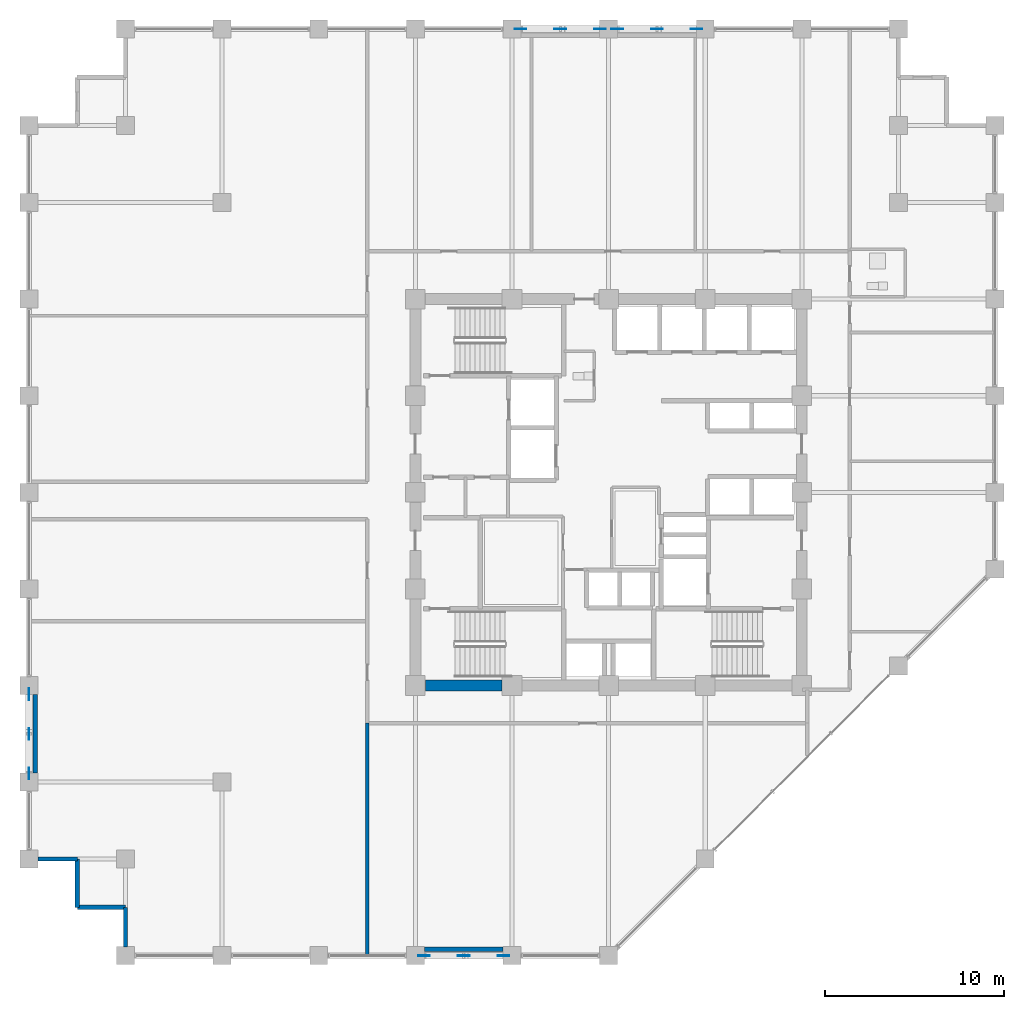
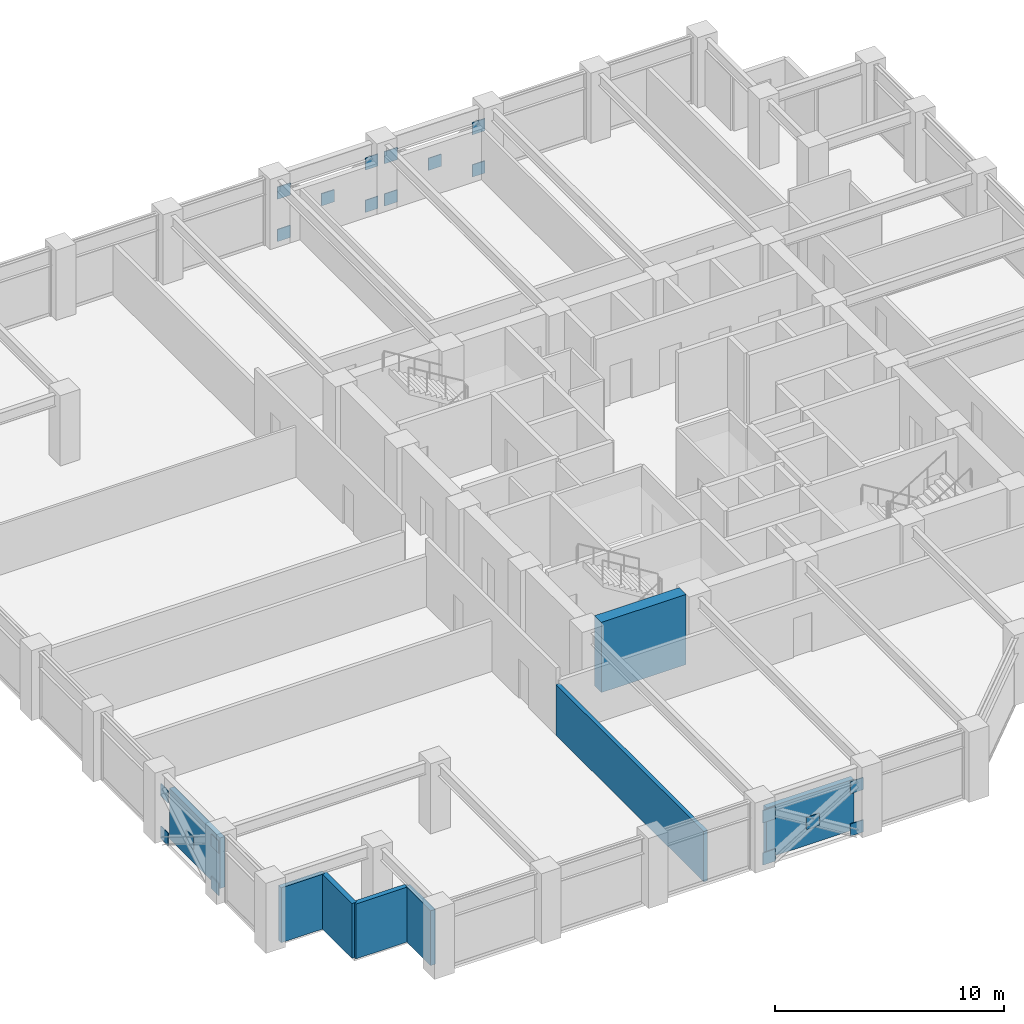
# One storey, part 18 of 23: 20 plates, 8 walls.
"""IFC4 building model written with IfcOpenShell, lengths in metres."""

from ifc_helpers import new_model, si_unit, direction, frame, frame_2d, origin, origin_2d, place, context, subcontext, project, spatial, rectangle, extrude, material, layer, layer_set, type_object, element, save


model = new_model("IFC4")

# Units and contexts
model_context = context("Model", 3, precision=1e-05, world=origin(), true_north=direction((0.0, 1.0)))
body_context = subcontext(model_context, "Body", "Model", "MODEL_VIEW")
ifc_project = project(units=[si_unit("LENGTHUNIT", "METRE"), si_unit("AREAUNIT", "SQUARE_METRE"), si_unit("VOLUMEUNIT", "CUBIC_METRE"), si_unit("PLANEANGLEUNIT", "RADIAN"), si_unit("MASSUNIT", "GRAM", prefix="KILO")], contexts=[model_context])

# Site, building, storey
site_placement = place(None, origin())
site = spatial("IfcSite", under=ifc_project, at=site_placement, CompositionType="ELEMENT")
building_placement = place(site_placement, origin())
building = spatial("IfcBuilding", under=site, at=building_placement, Name="Surkhivell Harbour Commons", CompositionType="ELEMENT")
storey_placement = place(building_placement, frame((0.0, 0.0, 135.75)))
storey = spatial("IfcBuildingStorey", under=building, at=storey_placement, Name="L35", CompositionType="ELEMENT", Elevation=135.75)

# Plates
ifc_material_1 = material(Name="Steel S460", Category="steel")
ifc_layer_1 = layer(ifc_material_1, 0.044921875)
ifc_layer_set_1 = layer_set([ifc_layer_1], Name="Steel S460")
plate_type = type_object("IfcPlateType", Name="PLT-GUS-650", PredefinedType="USERDEFINED", material=ifc_layer_set_1)
for number, where, z_axis, x_axis, name in (
    (1, (-4.9150390625, 25.89990234375, -0.08935546875), (0.0, 0.0, 1.0), (1.0, 0.0, 0.0), "L35 Perimeter Mega-Brace MB- Corner Gusset N-1"),
    (2, (-0.485107421875, 25.89990234375, -0.08935546875), (0.0, 0.0, 1.0), (1.0, 0.0, 0.0), "L35 Perimeter Mega-Brace MB- Corner Gusset N-2"),
    (3, (-4.9150390625, 25.89990234375, 2.170654296875), (0.0, 0.0, 1.0), (1.0, 0.0, 0.0), "L35 Perimeter Mega-Brace MB- Corner Gusset N-3"),
    (4, (-0.485107421875, 25.89990234375, 2.170654296875), (0.0, 0.0, 1.0), (1.0, 0.0, 0.0), "L35 Perimeter Mega-Brace MB- Corner Gusset N-4"),
    (5, (-2.699951171875, 25.89990234375, 1.04052734375), (0.0, 0.0, 1.0), (1.0, 0.0, 0.0), "L35 Perimeter Mega-Brace MB- Central Crossing Gusset N"),
    (6, (0.485107421875, 25.89990234375, -0.08935546875), (0.0, 0.0, 1.0), (1.0, 0.0, 0.0), "L35 Perimeter Mega-Brace MB- Corner Gusset N2-1"),
    (7, (4.9150390625, 25.89990234375, -0.08935546875), (0.0, 0.0, 1.0), (1.0, 0.0, 0.0), "L35 Perimeter Mega-Brace MB- Corner Gusset N2-2"),
    (8, (0.485107421875, 25.89990234375, 2.170654296875), (0.0, 0.0, 1.0), (1.0, 0.0, 0.0), "L35 Perimeter Mega-Brace MB- Corner Gusset N2-3"),
    (9, (4.9150390625, 25.89990234375, 2.170654296875), (0.0, 0.0, 1.0), (1.0, 0.0, 0.0), "L35 Perimeter Mega-Brace MB- Corner Gusset N2-4"),
    (10, (2.699951171875, 25.89990234375, 1.04052734375), (0.0, 0.0, 1.0), (1.0, 0.0, 0.0), "L35 Perimeter Mega-Brace MB- Central Crossing Gusset N2"),
    (11, (-10.31494140625, -25.89990234375, -0.08935546875), (0.0, 0.0, 1.0), (1.0, 0.0, 0.0), "L35 Perimeter Mega-Brace MB- Corner Gusset S-1"),
    (12, (-5.885009765625, -25.89990234375, -0.08935546875), (0.0, 0.0, 1.0), (1.0, 0.0, 0.0), "L35 Perimeter Mega-Brace MB- Corner Gusset S-2"),
    (13, (-10.31494140625, -25.89990234375, 2.170654296875), (0.0, 0.0, 1.0), (1.0, 0.0, 0.0), "L35 Perimeter Mega-Brace MB- Corner Gusset S-3"),
    (14, (-5.885009765625, -25.89990234375, 2.170654296875), (0.0, 0.0, 1.0), (1.0, 0.0, 0.0), "L35 Perimeter Mega-Brace MB- Corner Gusset S-4"),
    (15, (-8.10009765625, -25.89990234375, 1.04052734375), (0.0, 0.0, 1.0), (1.0, 0.0, 0.0), "L35 Perimeter Mega-Brace MB- Central Crossing Gusset S"),
    (16, (-32.39990234375, -15.715087890625, -0.08935546875), (0.0, 0.0, 1.0), (0.0, 1.0, 0.0), "L35 Perimeter Mega-Brace MB- Corner Gusset W-1"),
    (17, (-32.39990234375, -11.284912109375, -0.08935546875), (0.0, 0.0, 1.0), (0.0, 1.0, 0.0), "L35 Perimeter Mega-Brace MB- Corner Gusset W-2"),
    (18, (-32.39990234375, -15.715087890625, 2.170654296875), (0.0, 0.0, 1.0), (0.0, 1.0, 0.0), "L35 Perimeter Mega-Brace MB- Corner Gusset W-3"),
    (19, (-32.39990234375, -11.284912109375, 2.170654296875), (0.0, 0.0, 1.0), (0.0, 1.0, 0.0), "L35 Perimeter Mega-Brace MB- Corner Gusset W-4"),
    (20, (-32.39990234375, -13.5, 1.04052734375), (0.0, 0.0, 1.0), (0.0, 1.0, 0.0), "L35 Perimeter Mega-Brace MB- Central Crossing Gusset W"),
):
    element("IfcPlate", number, at=place(storey_placement, frame(where, z_axis=z_axis, x_axis=x_axis)), inside=storey, type_object=plate_type, Name=name, ObjectType="GUSSET_PLATE", PredefinedType="USERDEFINED", context=body_context, shape_type="SweptSolid", body=[
        extrude(rectangle(XDim=0.64990234375, YDim=0.044921875, at=origin_2d()), origin(), (0.0, 0.0, 1.0), 0.64990234375),
    ])

# Walls
ifc_material_2 = material(Name="Concrete C60/75", Category="concrete")
ifc_layer_2 = layer(ifc_material_2, 0.60009765625)
ifc_layer_set_2 = layer_set([ifc_layer_2], Name="Concrete C60/75")
wall_type_1 = type_object("IfcWallType", Name="WAL-CORE-600", PredefinedType="SHEAR", material=ifc_layer_set_2)
wall_1_placement = place(storey_placement, frame((-10.239990234375, -10.800048828125, 0.0), z_axis=(0.0, 0.0, 1.0), x_axis=(1.0, 0.0, 0.0)))
element("IfcWall", 21, at=wall_1_placement, inside=storey, type_object=wall_type_1, Name="L35 Core Shear Wall South 1", PredefinedType="SHEAR", context=body_context, shape_type="SweptSolid", body=[
    extrude(rectangle(XDim=4.280029296875, YDim=0.60009765625, at=frame_2d((2.14013671875, 0.0))), origin(), (0.0, 0.0, 1.0), 3.75),
])
ifc_material_3 = material(Name="Pale-metal insulated precast concrete C45/55", Category="concrete")
ifc_layer_3 = layer(ifc_material_3, 0.260009765625)
ifc_layer_set_3 = layer_set([ifc_layer_3], Name="Pale-metal insulated precast concrete C45/55")
wall_type_2 = type_object("IfcWallType", Name="WAL-EXT-MTL260", PredefinedType="STANDARD", material=ifc_layer_set_3)
wall_2_placement = place(storey_placement, frame((-10.302001953125, -25.5400390625, 0.0), z_axis=(0.0, 0.0, 1.0), x_axis=(1.0, 0.0, 0.0)))
element("IfcWall", 22, at=wall_2_placement, inside=storey, type_object=wall_type_2, Name="L35 Braced-Bay Insulated Spandrel Backing S", PredefinedType="STANDARD", context=body_context, shape_type="SweptSolid", body=[
    extrude(rectangle(XDim=4.404052734375, YDim=0.260009765625, at=frame_2d((2.2021484375, 0.0))), origin(), (0.0, 0.0, 1.0), 2.698974609375),
])
wall_3_placement = place(storey_placement, frame((-32.0400390625, -11.298095703125, 0.0), z_axis=(0.0, 0.0, 1.0), x_axis=(0.0, -1.0, 0.0)))
element("IfcWall", 23, at=wall_3_placement, inside=storey, type_object=wall_type_2, Name="L35 Braced-Bay Insulated Spandrel Backing W", PredefinedType="STANDARD", context=body_context, shape_type="SweptSolid", body=[
    extrude(rectangle(XDim=4.40380859375, YDim=0.260009765625, at=frame_2d((2.201904296875, 0.0))), origin(), (0.0, 0.0, 1.0), 2.698974609375),
])
ifc_material_4 = material(Name="Bronze-ochre cassette precast concrete C45/55", Category="concrete")
ifc_layer_4 = layer(ifc_material_4, 0.239990234375)
ifc_layer_set_4 = layer_set([ifc_layer_4], Name="Bronze-ochre cassette precast concrete C45/55")
wall_type_3 = type_object("IfcWallType", Name="WAL-EXT-OCH240", PredefinedType="STANDARD", material=ifc_layer_set_4)
wall_4_placement = place(storey_placement, frame((-31.902099609375, -20.5, 0.0), z_axis=(0.0, 0.0, 1.0), x_axis=(1.0, 0.0, 0.0)))
element("IfcWall", 24, at=wall_4_placement, inside=storey, type_object=wall_type_3, Name="L35 Serrated Corner Facade Wall 13", PredefinedType="STANDARD", context=body_context, shape_type="SweptSolid", body=[
    extrude(rectangle(XDim=2.2021484375, YDim=0.239990234375, at=frame_2d((1.10107421875, 0.0))), origin(), (0.0, 0.0, 1.0), 2.93310546875),
])
for number, where, z_axis, x_axis, name in (
    (25, (-29.699951171875, -20.5, 0.0), (0.0, 0.0, 1.0), (0.0, -1.0, 0.0), "L35 Serrated Corner Facade Wall 14"),
    (26, (-29.699951171875, -23.199951171875, 0.0), (0.0, 0.0, 1.0), (1.0, 0.0, 0.0), "L35 Serrated Corner Facade Wall 15"),
):
    element("IfcWall", number, at=place(storey_placement, frame(where, z_axis=z_axis, x_axis=x_axis)), inside=storey, type_object=wall_type_3, Name=name, PredefinedType="STANDARD", context=body_context, shape_type="SweptSolid", body=[
        extrude(rectangle(XDim=2.699951171875, YDim=0.239990234375, at=frame_2d((1.35009765625, 0.0))), origin(), (0.0, 0.0, 1.0), 2.93310546875),
    ])
wall_5_placement = place(storey_placement, frame((-27.0, -23.199951171875, 0.0), z_axis=(0.0, 0.0, 1.0), x_axis=(0.0, -1.0, 0.0)))
element("IfcWall", 27, at=wall_5_placement, inside=storey, type_object=wall_type_3, Name="L35 Serrated Corner Facade Wall 16", PredefinedType="STANDARD", context=body_context, shape_type="SweptSolid", body=[
    extrude(rectangle(XDim=2.2021484375, YDim=0.239990234375, at=frame_2d((1.10107421875, 0.0))), origin(), (0.0, 0.0, 1.0), 2.93310546875),
])
ifc_material_5 = material(Name="Autoclaved aerated concrete blockwork and fire plaster", Category="masonry")
ifc_layer_5 = layer(ifc_material_5, 0.199951171875)
ifc_layer_set_5 = layer_set([ifc_layer_5], Name="Autoclaved aerated concrete blockwork and fire plaster")
wall_type_4 = type_object("IfcWallType", Name="WAL-INT-200", PredefinedType="PARTITIONING", material=ifc_layer_set_5)
wall_6_placement = place(storey_placement, frame((-13.47998046875, -25.840087890625, 0.0), z_axis=(0.0, 0.0, 1.0), x_axis=(0.0, 1.0, 0.0)))
element("IfcWall", 28, at=wall_6_placement, inside=storey, type_object=wall_type_4, Name="L35 South-West Wing Corner Divider", PredefinedType="PARTITIONING", context=body_context, shape_type="SweptSolid", body=[
    extrude(rectangle(XDim=12.940185546875, YDim=0.199951171875, at=frame_2d((6.47021484375, 0.0))), origin(), (0.0, 0.0, 1.0), 2.698974609375),
])

save(model, "model.ifc")
